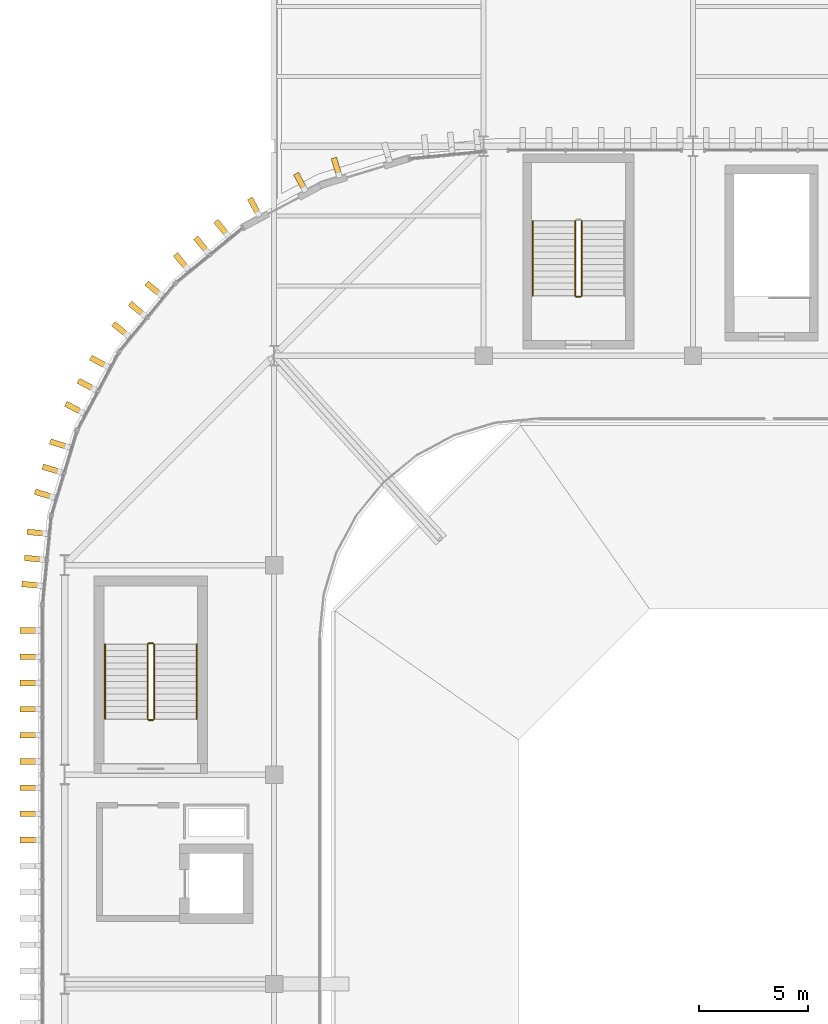
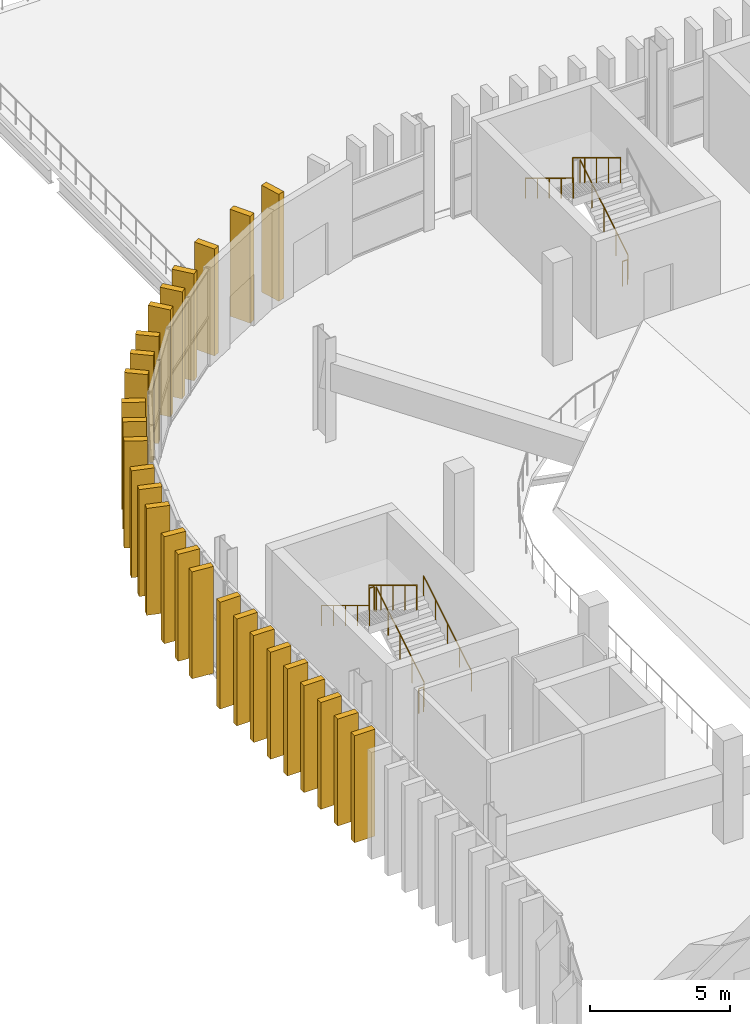
# One storey, part 63 of 69: 27 coverings, 10 railings.
"""IFC4 building model written with IfcOpenShell, lengths in metres."""

from ifc_helpers import new_model, si_unit, direction, frame, origin, origin_2d, place, context, subcontext, project, spatial, rectangle, circle, extrude, material, material_profile, profile_set, type_object, element, save


model = new_model("IFC4")

# Units and contexts
model_context = context("Model", 3, precision=1e-05, world=origin(), true_north=direction((0.0, 1.0)))
body_context = subcontext(model_context, "Body", "Model", "MODEL_VIEW")
ifc_project = project(units=[si_unit("LENGTHUNIT", "METRE"), si_unit("AREAUNIT", "SQUARE_METRE"), si_unit("VOLUMEUNIT", "CUBIC_METRE"), si_unit("PLANEANGLEUNIT", "RADIAN"), si_unit("MASSUNIT", "GRAM", prefix="KILO")], contexts=[model_context])

# Site, building, storey
site_placement = place(None, origin())
site = spatial("IfcSite", under=ifc_project, at=site_placement, CompositionType="ELEMENT")
building_placement = place(site_placement, origin())
building = spatial("IfcBuilding", under=site, at=building_placement, Name="Caelomonte Colonnade Arena", CompositionType="ELEMENT")
storey_placement = place(building_placement, frame((0.0, 0.0, 18.60009765625)))
storey = spatial("IfcBuildingStorey", under=building, at=storey_placement, Name="L04", CompositionType="ELEMENT", Elevation=18.60009765625)

# Coverings
ifc_material_1 = material(Name="Precast travertine cladding", Category="masonry")
ifc_material_profile = material_profile(ifc_material_1, rectangle(XDim=0.260009765625, YDim=0.85009765625, at=origin_2d()), Name="FIN260X850")
ifc_profile_set = profile_set([ifc_material_profile], Name="Precast travertine cladding")
covering_type = type_object("IfcCoveringType", Name="ENV-FN-SHAFT", PredefinedType="CLADDING", material=ifc_profile_set)
for number, where, z_axis, x_axis, name in (
    (1, (70.062744140625, 114.25341796875, -0.16015625), (0.0, 0.0, 1.0), (0.956942868907, 0.290276326364, 0.0), "V1 L04 classical travertine vertical fin 152"),
    (2, (68.408203125, 113.568115234375, -0.16015625), (0.0, 0.0, 1.0), (0.881921264348, 0.471396736826, 0.0), "V1 L04 classical travertine vertical fin 153"),
    (3, (66.29150390625, 112.436767578125, -0.16015625), (0.0, 0.0, 1.0), (0.881921264348, 0.471396736826, 0.0), "V1 L04 classical travertine vertical fin 155"),
    (4, (64.802490234375, 111.44189453125, -0.16015625), (0.0, 0.0, 1.0), (0.77299384472, 0.634413521313, 0.0), "V1 L04 classical travertine vertical fin 156"),
    (5, (63.874755859375, 110.680419921875, -0.16015625), (0.0, 0.0, 1.0), (0.77299384472, 0.634413521313, 0.0), "V1 L04 classical travertine vertical fin 157"),
    (6, (62.947265625, 109.919189453125, -0.16015625), (0.0, 0.0, 1.0), (0.77299384472, 0.634413521313, 0.0), "V1 L04 classical travertine vertical fin 158"),
    (7, (61.680908203125, 108.65283203125, -0.16015625), (0.0, 0.0, 1.0), (0.634413521313, 0.77299384472, 0.0), "V1 L04 classical travertine vertical fin 159"),
    (8, (60.91943359375, 107.72509765625, -0.16015625), (0.0, 0.0, 1.0), (0.634413521313, 0.77299384472, 0.0), "V1 L04 classical travertine vertical fin 160"),
    (9, (60.158203125, 106.797607421875, -0.16015625), (0.0, 0.0, 1.0), (0.634413521313, 0.77299384472, 0.0), "V1 L04 classical travertine vertical fin 161"),
    (10, (59.1630859375, 105.30859375, -0.16015625), (0.0, 0.0, 1.0), (0.471396736826, 0.881921264348, 0.0), "V1 L04 classical travertine vertical fin 162"),
    (11, (58.597412109375, 104.250244140625, -0.16015625), (0.0, 0.0, 1.0), (0.471396736826, 0.881921264348, 0.0), "V1 L04 classical travertine vertical fin 163"),
    (12, (58.03173828125, 103.19189453125, -0.16015625), (0.0, 0.0, 1.0), (0.471396736826, 0.881921264348, 0.0), "V1 L04 classical travertine vertical fin 164"),
    (13, (57.346435546875, 101.537109375, -0.16015625), (0.0, 0.0, 1.0), (0.290276326364, 0.956942868907, 0.0), "V1 L04 classical travertine vertical fin 165"),
    (14, (56.998046875, 100.388916015625, -0.16015625), (0.0, 0.0, 1.0), (0.290276326364, 0.956942868907, 0.0), "V1 L04 classical travertine vertical fin 166"),
    (15, (56.64990234375, 99.240478515625, -0.16015625), (0.0, 0.0, 1.0), (0.290276326364, 0.956942868907, 0.0), "V1 L04 classical travertine vertical fin 167"),
    (16, (56.30029296875, 97.48388671875, -0.16015625), (0.0, 0.0, 1.0), (0.098015403404, 0.995184897743, 0.0), "V1 L04 classical travertine vertical fin 168"),
    (17, (56.182861328125, 96.289794921875, -0.16015625), (0.0, 0.0, 1.0), (0.098015403404, 0.995184897743, 0.0), "V1 L04 classical travertine vertical fin 169"),
    (18, (56.065185546875, 95.095458984375, -0.16015625), (0.0, 0.0, 1.0), (0.098015403404, 0.995184897743, 0.0), "V1 L04 classical travertine vertical fin 170"),
    (19, (55.97900390625, 93.0, -0.16015625), (0.0, 0.0, 1.0), (0.0, 1.0, 0.0), "V1 L04 classical travertine vertical fin 171"),
    (20, (55.97900390625, 91.800048828125, -0.16015625), (0.0, 0.0, 1.0), (0.0, 1.0, 0.0), "V1 L04 classical travertine vertical fin 172"),
    (21, (55.97900390625, 90.60009765625, -0.16015625), (0.0, 0.0, 1.0), (0.0, 1.0, 0.0), "V1 L04 classical travertine vertical fin 173"),
    (22, (55.97900390625, 89.39990234375, -0.16015625), (0.0, 0.0, 1.0), (0.0, 1.0, 0.0), "V1 L04 classical travertine vertical fin 174"),
    (23, (55.97900390625, 88.199951171875, -0.16015625), (0.0, 0.0, 1.0), (0.0, 1.0, 0.0), "V1 L04 classical travertine vertical fin 175"),
    (24, (55.97900390625, 87.0, -0.16015625), (0.0, 0.0, 1.0), (0.0, 1.0, 0.0), "V1 L04 classical travertine vertical fin 176"),
    (25, (55.97900390625, 85.800048828125, -0.16015625), (0.0, 0.0, 1.0), (0.0, 1.0, 0.0), "V1 L04 classical travertine vertical fin 177"),
    (26, (55.97900390625, 84.60009765625, -0.16015625), (0.0, 0.0, 1.0), (0.0, 1.0, 0.0), "V1 L04 classical travertine vertical fin 178"),
    (27, (55.97900390625, 83.39990234375, -0.16015625), (0.0, 0.0, 1.0), (0.0, 1.0, 0.0), "V1 L04 classical travertine vertical fin 179"),
):
    element("IfcCovering", number, at=place(storey_placement, frame(where, z_axis=z_axis, x_axis=x_axis)), inside=storey, type_object=covering_type, Name=name, PredefinedType="CLADDING", context=body_context, shape_type="SweptSolid", body=[
        extrude(rectangle(XDim=0.260009765625, YDim=0.85009765625, at=origin_2d()), origin(), (0.0, 0.0, 1.0), 4.66015625),
    ])

# Railings
ifc_material_2 = material(Name="Painted galvanized steel stair guard", Category="steel")
railing_type_1 = type_object("IfcRailingType", Name="INT-RL-GRD", PredefinedType="GUARDRAIL", material=ifc_material_2)
railing_1_placement = place(storey_placement, frame((61.699951171875, 88.949951171875, 0.173095703125)))
element("IfcRailing", 28, at=railing_1_placement, inside=storey, type_object=railing_type_1, Name="L04 ST-04 stair guard 1", PredefinedType="GUARDRAIL", context=body_context, shape_type="SweptSolid", body=[
    extrude(circle(Radius=0.02392578125, at=origin_2d()), frame((0.0, 0.0, 1.076171875), z_axis=(0.0, 0.854745945586, 0.519046595696), x_axis=(-1.0, 0.0, 0.0)), (0.0, 0.0, 1.0), 4.00146484375),
    extrude(circle(Radius=0.02099609375, at=origin_2d()), origin(), (0.0, 0.0, 1.0), 1.048095703125),
    extrude(circle(Radius=0.02099609375, at=origin_2d()), frame((0.0, 0.85498046875, 0.519287109375)), (0.0, 0.0, 1.0), 1.048095703125),
    extrude(circle(Radius=0.02099609375, at=origin_2d()), frame((0.0, 1.7099609375, 1.03857421875)), (0.0, 0.0, 1.0), 1.048095703125),
    extrude(circle(Radius=0.02099609375, at=origin_2d()), frame((0.0, 2.565185546875, 1.5576171875)), (0.0, 0.0, 1.0), 1.048095703125),
    extrude(circle(Radius=0.02099609375, at=origin_2d()), frame((0.0, 3.420166015625, 2.076904296875)), (0.0, 0.0, 1.0), 1.048095703125),
])
railing_2_placement = place(storey_placement, frame((61.64990234375, 92.419921875, 2.25)))
element("IfcRailing", 29, at=railing_2_placement, inside=storey, type_object=railing_type_1, Name="L04 ST-04 stair guard 2", PredefinedType="GUARDRAIL", context=body_context, shape_type="SweptSolid", body=[
    extrude(circle(Radius=0.02392578125, at=origin_2d()), frame((0.0, 0.0, 1.076171875), z_axis=(-1.0, 0.0, 0.0), x_axis=(0.0, -1.0, 0.0)), (0.0, 0.0, 1.0), 0.199951171875),
    extrude(circle(Radius=0.02099609375, at=origin_2d()), origin(), (0.0, 0.0, 1.0), 1.048095703125),
    extrude(circle(Radius=0.02099609375, at=origin_2d()), frame((-0.199951171875, 0.0, 0.0)), (0.0, 0.0, 1.0), 1.048095703125),
])
railing_3_placement = place(storey_placement, frame((61.39990234375, 92.3701171875, 2.423095703125)))
element("IfcRailing", 30, at=railing_3_placement, inside=storey, type_object=railing_type_1, Name="L04 ST-04 stair guard 3", PredefinedType="GUARDRAIL", context=body_context, shape_type="SweptSolid", body=[
    extrude(circle(Radius=0.02392578125, at=origin_2d()), frame((0.0, 0.0, 1.076171875), z_axis=(0.0, -0.854745945586, 0.519046595696), x_axis=(1.0, 0.0, 0.0)), (0.0, 0.0, 1.0), 4.00146484375),
    extrude(circle(Radius=0.02099609375, at=origin_2d()), origin(), (0.0, 0.0, 1.0), 1.048095703125),
    extrude(circle(Radius=0.02099609375, at=origin_2d()), frame((0.0, -0.85498046875, 0.519287109375)), (0.0, 0.0, 1.0), 1.048095703125),
    extrude(circle(Radius=0.02099609375, at=origin_2d()), frame((0.0, -1.7099609375, 1.03857421875)), (0.0, 0.0, 1.0), 1.048095703125),
    extrude(circle(Radius=0.02099609375, at=origin_2d()), frame((0.0, -2.565185546875, 1.5576171875)), (0.0, 0.0, 1.0), 1.048095703125),
    extrude(circle(Radius=0.02099609375, at=origin_2d()), frame((0.0, -3.420166015625, 2.076904296875)), (0.0, 0.0, 1.0), 1.048095703125),
])
railing_4_placement = place(storey_placement, frame((61.64990234375, 88.89990234375, 0.0)))
element("IfcRailing", 31, at=railing_4_placement, inside=storey, type_object=railing_type_1, Name="L04 ST-04 stair guard 4", PredefinedType="GUARDRAIL", context=body_context, shape_type="SweptSolid", body=[
    extrude(circle(Radius=0.02392578125, at=origin_2d()), frame((0.0, 0.0, 1.076171875), z_axis=(-1.0, 0.0, 0.0), x_axis=(0.0, -1.0, 0.0)), (0.0, 0.0, 1.0), 0.199951171875),
    extrude(circle(Radius=0.02099609375, at=origin_2d()), origin(), (0.0, 0.0, 1.0), 1.048095703125),
    extrude(circle(Radius=0.02099609375, at=origin_2d()), frame((-0.199951171875, 0.0, 0.0)), (0.0, 0.0, 1.0), 1.048095703125),
])
railing_5_placement = place(storey_placement, frame((81.300048828125, 108.35009765625, 0.173095703125)))
element("IfcRailing", 32, at=railing_5_placement, inside=storey, type_object=railing_type_1, Name="L04 ST-14 stair guard 1", PredefinedType="GUARDRAIL", context=body_context, shape_type="SweptSolid", body=[
    extrude(circle(Radius=0.02392578125, at=origin_2d()), frame((0.0, 0.0, 1.076171875), z_axis=(0.0, 0.854729506542, 0.519073665916), x_axis=(-1.0, 0.0, 0.0)), (0.0, 0.0, 1.0), 4.001220703125),
    extrude(circle(Radius=0.02099609375, at=origin_2d()), origin(), (0.0, 0.0, 1.0), 1.048095703125),
    extrude(circle(Radius=0.02099609375, at=origin_2d()), frame((0.0, 0.85498046875, 0.519287109375)), (0.0, 0.0, 1.0), 1.048095703125),
    extrude(circle(Radius=0.02099609375, at=origin_2d()), frame((0.0, 1.7099609375, 1.03857421875)), (0.0, 0.0, 1.0), 1.048095703125),
    extrude(circle(Radius=0.02099609375, at=origin_2d()), frame((0.0, 2.56494140625, 1.5576171875)), (0.0, 0.0, 1.0), 1.048095703125),
    extrude(circle(Radius=0.02099609375, at=origin_2d()), frame((0.0, 3.419921875, 2.076904296875)), (0.0, 0.0, 1.0), 1.048095703125),
])
railing_6_placement = place(storey_placement, frame((81.0, 111.77001953125, 2.423095703125)))
element("IfcRailing", 33, at=railing_6_placement, inside=storey, type_object=railing_type_1, Name="L04 ST-14 stair guard 3", PredefinedType="GUARDRAIL", context=body_context, shape_type="SweptSolid", body=[
    extrude(circle(Radius=0.02392578125, at=origin_2d()), frame((0.0, 0.0, 1.076171875), z_axis=(0.0, -0.854729506542, 0.519073665916), x_axis=(1.0, 0.0, 0.0)), (0.0, 0.0, 1.0), 4.001220703125),
    extrude(circle(Radius=0.02099609375, at=origin_2d()), origin(), (0.0, 0.0, 1.0), 1.048095703125),
    extrude(circle(Radius=0.02099609375, at=origin_2d()), frame((0.0, -0.85498046875, 0.519287109375)), (0.0, 0.0, 1.0), 1.048095703125),
    extrude(circle(Radius=0.02099609375, at=origin_2d()), frame((0.0, -1.7099609375, 1.03857421875)), (0.0, 0.0, 1.0), 1.048095703125),
    extrude(circle(Radius=0.02099609375, at=origin_2d()), frame((0.0, -2.56494140625, 1.5576171875)), (0.0, 0.0, 1.0), 1.048095703125),
    extrude(circle(Radius=0.02099609375, at=origin_2d()), frame((0.0, -3.419921875, 2.076904296875)), (0.0, 0.0, 1.0), 1.048095703125),
])
railing_7_placement = place(storey_placement, frame((81.25, 108.300048828125, 0.0)))
element("IfcRailing", 34, at=railing_7_placement, inside=storey, type_object=railing_type_1, Name="L04 ST-14 stair guard 4", PredefinedType="GUARDRAIL", context=body_context, shape_type="SweptSolid", body=[
    extrude(circle(Radius=0.02392578125, at=origin_2d()), frame((0.0, 0.0, 1.076171875), z_axis=(-1.0, 0.0, 0.0), x_axis=(0.0, -1.0, 0.0)), (0.0, 0.0, 1.0), 0.199951171875),
    extrude(circle(Radius=0.02099609375, at=origin_2d()), origin(), (0.0, 0.0, 1.0), 1.048095703125),
    extrude(circle(Radius=0.02099609375, at=origin_2d()), frame((-0.199951171875, 0.0, 0.0)), (0.0, 0.0, 1.0), 1.048095703125),
])
ifc_material_3 = material(Name="Brushed stainless steel stair handrail", Category="steel")
railing_type_2 = type_object("IfcRailingType", Name="INT-RL-HR", PredefinedType="HANDRAIL", material=ifc_material_3)
railing_8_placement = place(storey_placement, frame((63.64990234375, 88.949951171875, 0.173095703125)))
element("IfcRailing", 35, at=railing_8_placement, inside=storey, type_object=railing_type_2, Name="L04 ST-04 stair handrail 1", PredefinedType="HANDRAIL", context=body_context, shape_type="SweptSolid", body=[
    extrude(circle(Radius=0.02392578125, at=origin_2d()), frame((0.0, 0.0, 0.8759765625), z_axis=(0.0, 0.854745945586, 0.519046595696), x_axis=(-1.0, 0.0, 0.0)), (0.0, 0.0, 1.0), 4.00146484375),
    extrude(circle(Radius=0.02099609375, at=origin_2d()), origin(), (0.0, 0.0, 1.0), 0.847900390625),
    extrude(circle(Radius=0.02099609375, at=origin_2d()), frame((0.0, 0.85498046875, 0.519287109375)), (0.0, 0.0, 1.0), 0.847900390625),
    extrude(circle(Radius=0.02099609375, at=origin_2d()), frame((0.0, 1.7099609375, 1.03857421875)), (0.0, 0.0, 1.0), 0.847900390625),
    extrude(circle(Radius=0.02099609375, at=origin_2d()), frame((0.0, 2.565185546875, 1.5576171875)), (0.0, 0.0, 1.0), 0.847900390625),
    extrude(circle(Radius=0.02099609375, at=origin_2d()), frame((0.0, 3.420166015625, 2.076904296875)), (0.0, 0.0, 1.0), 0.847900390625),
])
railing_9_placement = place(storey_placement, frame((59.449951171875, 92.3701171875, 2.423095703125)))
element("IfcRailing", 36, at=railing_9_placement, inside=storey, type_object=railing_type_2, Name="L04 ST-04 stair handrail 2", PredefinedType="HANDRAIL", context=body_context, shape_type="SweptSolid", body=[
    extrude(circle(Radius=0.02392578125, at=origin_2d()), frame((0.0, 0.0, 0.8759765625), z_axis=(0.0, -0.854745945586, 0.519046595696), x_axis=(1.0, 0.0, 0.0)), (0.0, 0.0, 1.0), 4.00146484375),
    extrude(circle(Radius=0.02099609375, at=origin_2d()), origin(), (0.0, 0.0, 1.0), 0.847900390625),
    extrude(circle(Radius=0.02099609375, at=origin_2d()), frame((0.0, -0.85498046875, 0.519287109375)), (0.0, 0.0, 1.0), 0.847900390625),
    extrude(circle(Radius=0.02099609375, at=origin_2d()), frame((0.0, -1.7099609375, 1.03857421875)), (0.0, 0.0, 1.0), 0.847900390625),
    extrude(circle(Radius=0.02099609375, at=origin_2d()), frame((0.0, -2.565185546875, 1.5576171875)), (0.0, 0.0, 1.0), 0.847900390625),
    extrude(circle(Radius=0.02099609375, at=origin_2d()), frame((0.0, -3.420166015625, 2.076904296875)), (0.0, 0.0, 1.0), 0.847900390625),
])
railing_10_placement = place(storey_placement, frame((79.050048828125, 111.77001953125, 2.423095703125)))
element("IfcRailing", 37, at=railing_10_placement, inside=storey, type_object=railing_type_2, Name="L04 ST-14 stair handrail 2", PredefinedType="HANDRAIL", context=body_context, shape_type="SweptSolid", body=[
    extrude(circle(Radius=0.02392578125, at=origin_2d()), frame((0.0, 0.0, 0.8759765625), z_axis=(0.0, -0.854729506542, 0.519073665916), x_axis=(1.0, 0.0, 0.0)), (0.0, 0.0, 1.0), 4.001220703125),
    extrude(circle(Radius=0.02099609375, at=origin_2d()), origin(), (0.0, 0.0, 1.0), 0.847900390625),
    extrude(circle(Radius=0.02099609375, at=origin_2d()), frame((0.0, -0.85498046875, 0.519287109375)), (0.0, 0.0, 1.0), 0.847900390625),
    extrude(circle(Radius=0.02099609375, at=origin_2d()), frame((0.0, -1.7099609375, 1.03857421875)), (0.0, 0.0, 1.0), 0.847900390625),
    extrude(circle(Radius=0.02099609375, at=origin_2d()), frame((0.0, -2.56494140625, 1.5576171875)), (0.0, 0.0, 1.0), 0.847900390625),
    extrude(circle(Radius=0.02099609375, at=origin_2d()), frame((0.0, -3.419921875, 2.076904296875)), (0.0, 0.0, 1.0), 0.847900390625),
])

save(model, "model.ifc")
